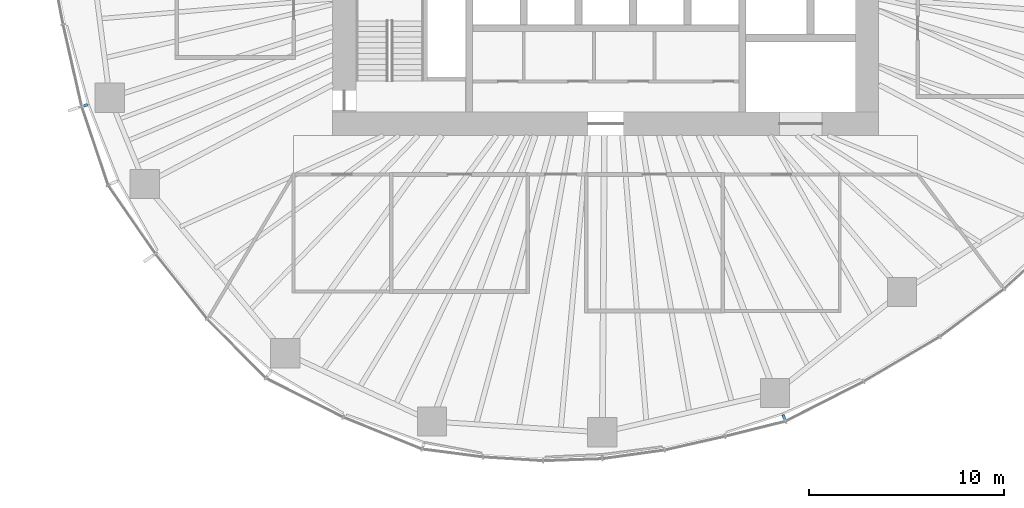
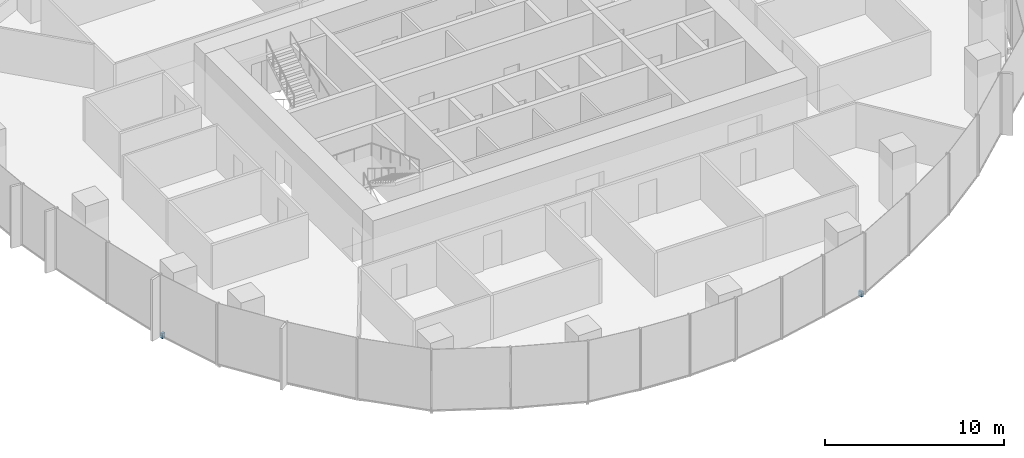
# One storey, part 13 of 18: 2 discrete accessories.
"""IFC4 building model written with IfcOpenShell, lengths in metres."""

from ifc_helpers import new_model, si_unit, direction, frame, origin, origin_2d, place, context, subcontext, project, spatial, rectangle, extrude, material, type_object, element, save


model = new_model("IFC4")

# Units and contexts
model_context = context("Model", 3, precision=1e-05, world=origin(), true_north=direction((0.0, 1.0)))
body_context = subcontext(model_context, "Body", "Model", "MODEL_VIEW")
ifc_project = project(units=[si_unit("LENGTHUNIT", "METRE"), si_unit("AREAUNIT", "SQUARE_METRE"), si_unit("VOLUMEUNIT", "CUBIC_METRE"), si_unit("PLANEANGLEUNIT", "RADIAN"), si_unit("MASSUNIT", "GRAM", prefix="KILO")], contexts=[model_context])

# Site, building, storey
site_placement = place(None, origin())
site = spatial("IfcSite", under=ifc_project, at=site_placement, CompositionType="ELEMENT")
building_placement = place(site_placement, origin())
building = spatial("IfcBuilding", under=site, at=building_placement, Name="Ghaith Harvest Tower", CompositionType="ELEMENT")
storey_placement = place(building_placement, frame((0.0, 0.0, 121.800048828125)))
storey = spatial("IfcBuildingStorey", under=building, at=storey_placement, Name="L25", CompositionType="ELEMENT", Elevation=121.800048828125)

# Discrete accessories
ifc_material_1 = material(Name="Stainless steel grade 1.4401", Category="steel")
discrete_accessory_type_1 = type_object("IfcDiscreteAccessoryType", Name="CURTAIN WALL BRACKET 205", PredefinedType="BRACKET", material=ifc_material_1)
discrete_accessory_1_placement = place(storey_placement, frame((-26.673095703125, -8.453125, -0.25), z_axis=(0.0, 0.0, 1.0), x_axis=(-0.953273219416, -0.302109531701, 0.0)))
element("IfcDiscreteAccessory", 1, at=discrete_accessory_1_placement, inside=storey, type_object=discrete_accessory_type_1, Name="CW-L bracket 1 bay 12 L25", PredefinedType="BRACKET", context=body_context, shape_type="SweptSolid", body=[
    extrude(rectangle(XDim=0.205078125, YDim=0.14990234375, at=origin_2d()), origin(), (0.0, 0.0, 1.0), 0.35009765625),
])
ifc_material_2 = material(Name="Stainless steel grade 1.4401", Category="steel")
discrete_accessory_type_2 = type_object("IfcDiscreteAccessoryType", Name="CURTAIN WALL BRACKET 245", PredefinedType="BRACKET", material=ifc_material_2)
discrete_accessory_2_placement = place(storey_placement, frame((9.135498046875, -24.436767578125, -0.25), z_axis=(0.0, 0.0, 1.0), x_axis=(0.35016769691, -0.93668702566, 0.0)))
element("IfcDiscreteAccessory", 2, at=discrete_accessory_2_placement, inside=storey, type_object=discrete_accessory_type_2, Name="CW-L bracket 1 bay 17 L25", PredefinedType="BRACKET", context=body_context, shape_type="SweptSolid", body=[
    extrude(rectangle(XDim=0.2451171875, YDim=0.14990234375, at=origin_2d()), origin(), (0.0, 0.0, 1.0), 0.35009765625),
])

save(model, "model.ifc")
